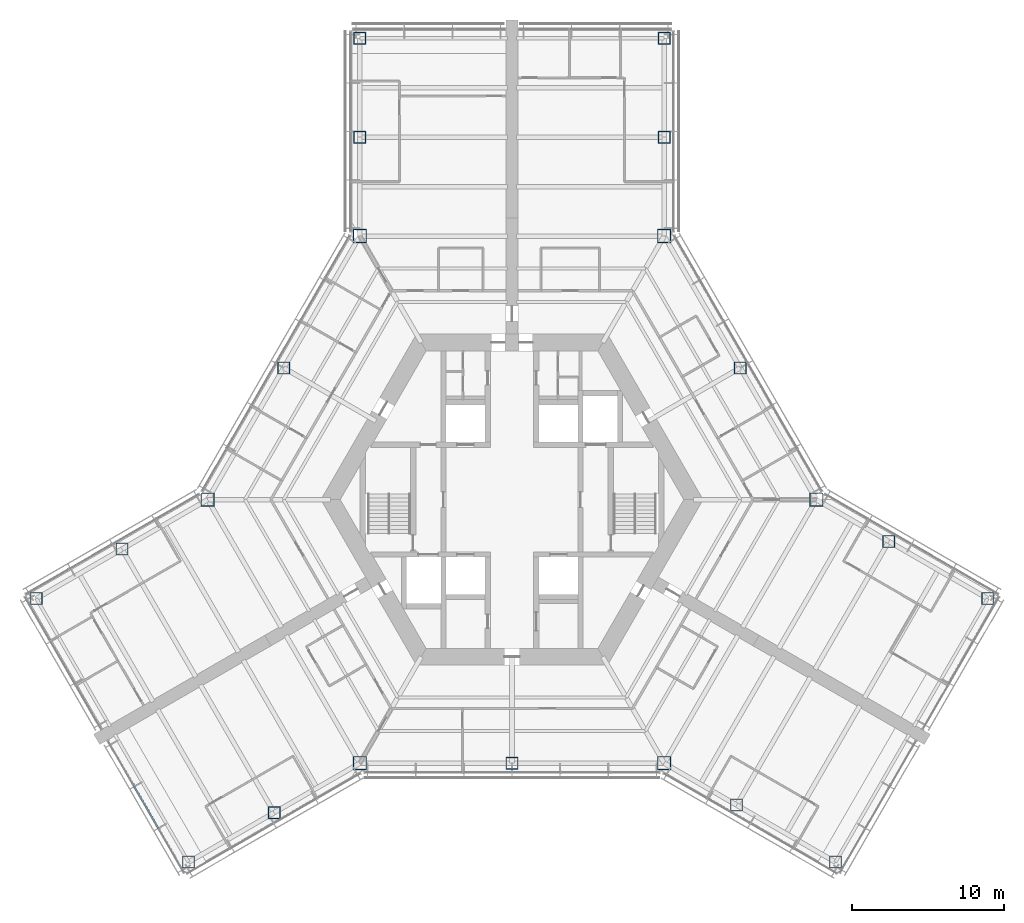
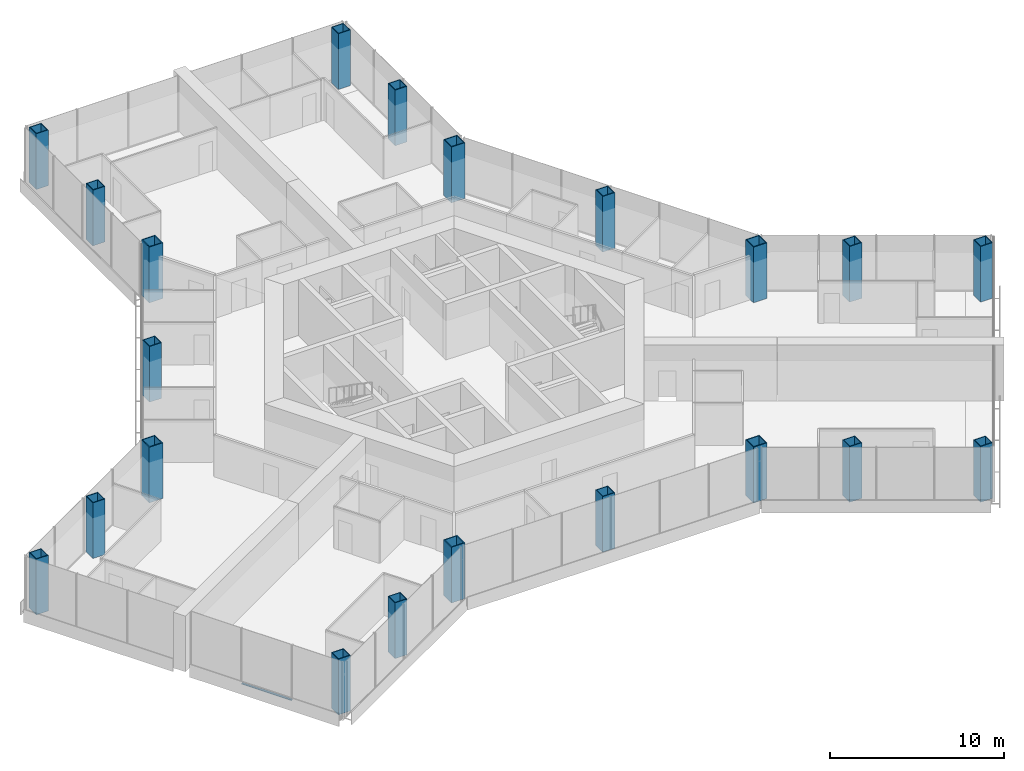
# One storey, part 1 of 19: 21 columns, 1 member, 1 element without a shape of its own.
"""IFC4 building model written with IfcOpenShell, lengths in metres."""

import ifcopenshell
import ifcopenshell.guid

model = None  # the IFC model being written
_history = None  # IfcOwnerHistory: only IFC2X3 demands one
_inside = {}  # id of a spatial element -> (the spatial element, [elements in it])
_under = {}  # id of a project, library or spatial element -> (it, [spatial elements below it])
_declared = {}  # id of a project -> (the project, [libraries it declares])
_typed = {}  # id of a type object -> (the type object, [elements of that type])
_made_of = {}  # id of a material, layer set ... -> (it, [elements and type objects made of it])


def new_model(schema):
    """Start an empty IFC model of exactly this schema.

    Asked for "IFC4X3", IfcOpenShell would pick the latest addendum, in which some entities
    have other attributes; the version numbers below select the first issue.
    IFC2X3 requires an IfcOwnerHistory on every rooted entity: one is made here for all.
    """
    global model, _history
    if schema == "IFC4X3":
        model = ifcopenshell.file(schema_version=(4, 3, 0, 0))
    else:
        model = ifcopenshell.file(schema=schema)
    _inside.clear()
    _under.clear()
    _declared.clear()
    _typed.clear()
    _made_of.clear()
    _history = None
    if model.schema == "IFC2X3":
        org = make("IfcOrganization", Name="unknown")
        user = make(
            "IfcPersonAndOrganization",
            ThePerson=make("IfcPerson", FamilyName="unknown"),
            TheOrganization=org,
        )
        app = make(
            "IfcApplication",
            ApplicationDeveloper=org,
            Version="unknown",
            ApplicationFullName="unknown",
            ApplicationIdentifier="unknown",
        )
        _history = make(
            "IfcOwnerHistory",
            OwningUser=user,
            OwningApplication=app,
            ChangeAction="ADDED",
            CreationDate=0,
        )
    return model


def make(cls, **values):
    """One entity of the class cls with the attributes given. An attribute that is None is left unset."""
    return model.create_entity(
        cls, **{name: value for name, value in values.items() if value is not None}
    )


def rooted(cls, **values):
    """An entity with a GlobalId (a new one), such as an element, a storey or a relation."""
    return make(cls, GlobalId=ifcopenshell.guid.new(), OwnerHistory=_history, **values)


def si_unit(unit_type, name, prefix=None):
    """IfcSIUnit, for example si_unit("LENGTHUNIT", "METRE", prefix="MILLI")."""
    return make("IfcSIUnit", UnitType=unit_type, Prefix=prefix, Name=name)


def assignment(units):
    """IfcUnitAssignment: the units of a project."""
    return None if units is None else make("IfcUnitAssignment", Units=units)


def point(xyz):
    """IfcCartesianPoint."""
    return None if xyz is None else make("IfcCartesianPoint", Coordinates=xyz)


def direction(xyz):
    """IfcDirection."""
    return None if xyz is None else make("IfcDirection", DirectionRatios=xyz)


def frame(location, z_axis=None, x_axis=None):
    """IfcAxis2Placement3D, a coordinate frame: its origin and axes. An axis left out is left unset."""
    return make(
        "IfcAxis2Placement3D",
        Location=point(location),
        Axis=direction(z_axis),
        RefDirection=direction(x_axis),
    )


def frame_2d(location, x_axis=None):
    """IfcAxis2Placement2D, a coordinate frame in the plane: its origin and x axis."""
    return make(
        "IfcAxis2Placement2D", Location=point(location), RefDirection=direction(x_axis)
    )


def origin():
    """The frame at (0, 0, 0) with its axes left unset."""
    return frame((0.0, 0.0, 0.0))


def origin_2d():
    """The frame at (0, 0) in the plane with its x axis left unset."""
    return frame_2d((0.0, 0.0))


def place(relative_to, where):
    """IfcLocalPlacement: puts the frame where relative to a parent placement (None: the world)."""
    return make(
        "IfcLocalPlacement", PlacementRelTo=relative_to, RelativePlacement=where
    )


def context(
    kind, dimensions, precision=None, world=None, true_north=None, identifier=None
):
    """IfcGeometricRepresentationContext, for example the 3D "Model" context."""
    return make(
        "IfcGeometricRepresentationContext",
        ContextIdentifier=identifier,
        ContextType=kind,
        CoordinateSpaceDimension=dimensions,
        Precision=precision,
        WorldCoordinateSystem=world,
        TrueNorth=true_north,
    )


def subcontext(parent, identifier, kind, view, scale=None):
    """IfcGeometricRepresentationSubContext, for example "Body" below "Model"."""
    return make(
        "IfcGeometricRepresentationSubContext",
        ContextIdentifier=identifier,
        ContextType=kind,
        ParentContext=parent,
        TargetScale=scale,
        TargetView=view,
    )


def project(units=None, contexts=None):
    """IfcProject with its units and contexts."""
    return rooted(
        "IfcProject",
        Name="project",
        RepresentationContexts=contexts,
        UnitsInContext=assignment(units),
    )


def spatial(cls, under=None, at=None, **own):
    """A site, building, storey or space (cls), placed at a placement, below another one or the project."""
    s = rooted(cls, ObjectPlacement=at, **own)
    if under is not None:
        _under.setdefault(under.id(), (under, []))[1].append(s)
    return s


def profile(cls, at=None, kind="AREA", **sizes):
    """A parametric profile (cls). Its sizes go by their IFC names, for example OverallWidth=200.0."""
    return make(cls, ProfileType=kind, Position=at, **sizes)


def rectangle(**sizes):
    """IfcRectangleProfileDef."""
    return profile("IfcRectangleProfileDef", **sizes)


def hollow_rectangle(**sizes):
    """IfcRectangleHollowProfileDef."""
    return profile("IfcRectangleHollowProfileDef", **sizes)


def extrude(swept, where, along, depth):
    """IfcExtrudedAreaSolid: the profile swept, set in the frame where, extruded along a direction by depth."""
    return make(
        "IfcExtrudedAreaSolid",
        SweptArea=swept,
        Position=where,
        ExtrudedDirection=direction(along),
        Depth=depth,
    )


def shape(context_of_items, identifier, shape_type, items):
    """IfcShapeRepresentation: the items that make up one representation, for example the "Body"."""
    return make(
        "IfcShapeRepresentation",
        ContextOfItems=context_of_items,
        RepresentationIdentifier=identifier,
        RepresentationType=shape_type,
        Items=items,
    )


def material(Name=None, Category=None):
    """IfcMaterial."""
    return make("IfcMaterial", Name=Name, Category=Category)


def material_profile(
    of_material, cross_section, Name=None, Category=None, Priority=None
):
    """IfcMaterialProfile: a cross section and its material."""
    return make(
        "IfcMaterialProfile",
        Name=Name,
        Material=of_material,
        Profile=cross_section,
        Priority=Priority,
        Category=Category,
    )


def profile_set(profiles, Name=None, composite=None):
    """IfcMaterialProfileSet."""
    return make(
        "IfcMaterialProfileSet",
        Name=Name,
        MaterialProfiles=profiles,
        CompositeProfile=composite,
    )


def made_of(thing, what):
    """Note that an element or type object is made of a material, layer set ...; save() writes the relation."""
    if what is not None:
        _made_of.setdefault(what.id(), (what, []))[1].append(thing)
    return thing


def type_object(cls, material=None, **own):
    """A type object (cls), such as IfcWallType, which elements share."""
    return made_of(rooted(cls, **own), material)


def element(
    cls,
    number,
    at=None,
    inside=None,
    cuts=None,
    type_object=None,
    material=None,
    context=None,
    identifier="Body",
    shape_type=None,
    held_by="IfcProductDefinitionShape",
    body=None,
    shapes=None,
    **own,
):
    """One element of the class cls, such as IfcWall. Its Tag is "e" and its number.

    at: its placement. inside: the storey or other place that contains it. cuts: it is an
    opening in that element (IfcRelVoidsElement). A single representation is given by context,
    identifier, shape_type and body (its items); several are given by shapes. held_by: the class
    of the entity that holds the representations. save() writes the other relations.
    """
    e = rooted(cls, Tag="e%d" % number, ObjectPlacement=at, **own)
    if body is not None:
        shapes = [shape(context, identifier, shape_type, body)]
    if shapes is not None:
        e.Representation = make(held_by, Representations=shapes)
    if inside is not None:
        _inside.setdefault(inside.id(), (inside, []))[1].append(e)
    if cuts is not None:
        rooted(
            "IfcRelVoidsElement", RelatingBuildingElement=cuts, RelatedOpeningElement=e
        )
    if type_object is not None:
        _typed.setdefault(type_object.id(), (type_object, []))[1].append(e)
    return made_of(e, material)


def aggregate(whole, parts):
    """IfcRelAggregates: a whole, such as a stair, and the parts it consists of."""
    return rooted("IfcRelAggregates", RelatingObject=whole, RelatedObjects=parts)


def save(model, path):
    """Write the relations noted so far, then the file.

    IfcRelAggregates (storeys below a building ...), IfcRelContainedInSpatialStructure (elements
    in a storey), IfcRelDefinesByType, IfcRelAssociatesMaterial and IfcRelDeclares: one each for
    every whole, place, type object, material and project.
    """
    for whole, parts in _under.values():
        aggregate(whole, parts)
    for where, things in _inside.values():
        rooted(
            "IfcRelContainedInSpatialStructure",
            RelatedElements=things,
            RelatingStructure=where,
        )
    for kind, things in _typed.values():
        rooted("IfcRelDefinesByType", RelatedObjects=things, RelatingType=kind)
    for what, things in _made_of.values():
        rooted("IfcRelAssociatesMaterial", RelatedObjects=things, RelatingMaterial=what)
    for by, libraries in _declared.values():
        rooted("IfcRelDeclares", RelatingContext=by, RelatedDefinitions=libraries)
    model.write(path)


model = new_model("IFC4")

# Units and contexts
model_context = context("Model", 3, precision=1e-05, world=origin(), true_north=direction((0.0, 1.0)))
body_context = subcontext(model_context, "Body", "Model", "MODEL_VIEW")
ifc_project = project(units=[si_unit("LENGTHUNIT", "METRE"), si_unit("AREAUNIT", "SQUARE_METRE"), si_unit("VOLUMEUNIT", "CUBIC_METRE"), si_unit("PLANEANGLEUNIT", "RADIAN"), si_unit("MASSUNIT", "GRAM", prefix="KILO")], contexts=[model_context])

# Site, building, storey
site_placement = place(None, origin())
site = spatial("IfcSite", under=ifc_project, at=site_placement, CompositionType="ELEMENT")
building_placement = place(site_placement, origin())
building = spatial("IfcBuilding", under=site, at=building_placement, Name="Kasaneha Research Tower", CompositionType="ELEMENT")
storey_placement = place(building_placement, frame((0.0, 0.0, 96.300048828125)))
storey = spatial("IfcBuildingStorey", under=building, at=storey_placement, Name="L24", CompositionType="ELEMENT", Elevation=96.300048828125)

# Columns
ifc_material_1 = material(Name="Steel SN490C", Category="steel")
ifc_material_profile_1 = material_profile(ifc_material_1, hollow_rectangle(XDim=0.89990234375, YDim=0.89990234375, WallThickness=0.054931640625, at=origin_2d()), Name="BOX-900x900x55")
ifc_profile_set_1 = profile_set([ifc_material_profile_1], Name="Steel SN490C")
column_type_1 = type_object("IfcColumnType", Name="C2A column BOX-900x900x55", PredefinedType="COLUMN", material=ifc_profile_set_1)
for number, where, z_axis, x_axis, name in (
    (1, (20.0, 0.0, 0.0), (0.0, 0.0, 1.0), (1.0, 0.0, 0.0), "Column V0 L24"),
    (2, (10.0, 17.320556640625, 0.0), (0.0, 0.0, 1.0), (1.0, 0.0, 0.0), "Column V1 L24"),
    (3, (-10.0, 17.320556640625, 0.0), (0.0, 0.0, 1.0), (1.0, 0.0, 0.0), "Column V2 L24"),
    (4, (-20.0, 0.0, 0.0), (0.0, 0.0, 1.0), (1.0, 0.0, 0.0), "Column V3 L24"),
    (5, (-10.0, -17.320556640625, 0.0), (0.0, 0.0, 1.0), (1.0, 0.0, 0.0), "Column V4 L24"),
    (6, (10.0, -17.320556640625, 0.0), (0.0, 0.0, 1.0), (1.0, 0.0, 0.0), "Column V5 L24"),
):
    element("IfcColumn", number, at=place(storey_placement, frame(where, z_axis=z_axis, x_axis=x_axis)), inside=storey, type_object=column_type_1, Name=name, PredefinedType="COLUMN", context=body_context, shape_type="SweptSolid", body=[
        extrude(hollow_rectangle(XDim=0.89990234375, YDim=0.89990234375, WallThickness=0.054931640625, at=origin_2d()), origin(), (0.0, 0.0, 1.0), 3.89990234375),
    ])
ifc_material_2 = material(Name="Steel SN490C", Category="steel")
ifc_material_profile_2 = material_profile(ifc_material_2, hollow_rectangle(XDim=0.800048828125, YDim=0.800048828125, WallThickness=0.044921875, at=origin_2d()), Name="BOX-800x800x45")
ifc_profile_set_2 = profile_set([ifc_material_profile_2], Name="Steel SN490C")
column_type_2 = type_object("IfcColumnType", Name="C2B column BOX-800x800x45", PredefinedType="COLUMN", material=ifc_profile_set_2)
for number, where, z_axis, x_axis, name in (
    (7, (15.0, 8.66015625, 0.0), (0.0, 0.0, 1.0), (1.0, 0.0, 0.0), "Column M030 L24"),
    (8, (-15.0, 8.66015625, 0.0), (0.0, 0.0, 1.0), (1.0, 0.0, 0.0), "Column M150 L24"),
    (9, (0.0, -17.320556640625, 0.0), (0.0, 0.0, 1.0), (1.0, 0.0, 0.0), "Column M270 L24"),
    (10, (10.0, 23.820556640625, 0.0), (0.0, 0.0, 1.0), (1.0, 0.0, 0.0), "Column ASP L24"),
    (11, (10.0, 30.320556640625, 0.0), (0.0, 0.0, 1.0), (1.0, 0.0, 0.0), "Column ATP L24"),
    (12, (-10.0, 23.820556640625, 0.0), (0.0, 0.0, 1.0), (1.0, 0.0, 0.0), "Column ASN L24"),
    (13, (-10.0, 30.320556640625, 0.0), (0.0, 0.0, 1.0), (1.0, 0.0, 0.0), "Column ATN L24"),
    (14, (-25.629150390625, -3.25, 0.0), (0.0, 0.0, 1.0), (1.0, 0.0, 0.0), "Column BSP L24"),
    (15, (-31.25830078125, -6.5, 0.0), (0.0, 0.0, 1.0), (1.0, 0.0, 0.0), "Column BTP L24"),
    (16, (-15.629150390625, -20.570556640625, 0.0), (0.0, 0.0, 1.0), (1.0, 0.0, 0.0), "Column BSN L24"),
    (17, (-21.25830078125, -23.820556640625, 0.0), (0.0, 0.0, 1.0), (1.0, 0.0, 0.0), "Column BTN L24"),
    (18, (14.76318359375, -20.070556640625, 0.0), (0.0, 0.0, 1.0), (1.0, 0.0, 0.0), "Column CSP L24"),
    (19, (21.25830078125, -23.820556640625, 0.0), (0.0, 0.0, 1.0), (1.0, 0.0, 0.0), "Column CTP L24"),
    (20, (24.76318359375, -2.75, 0.0), (0.0, 0.0, 1.0), (1.0, 0.0, 0.0), "Column CSN L24"),
    (21, (31.25830078125, -6.5, 0.0), (0.0, 0.0, 1.0), (1.0, 0.0, 0.0), "Column CTN L24"),
):
    element("IfcColumn", number, at=place(storey_placement, frame(where, z_axis=z_axis, x_axis=x_axis)), inside=storey, type_object=column_type_2, Name=name, PredefinedType="COLUMN", context=body_context, shape_type="SweptSolid", body=[
        extrude(hollow_rectangle(XDim=0.800048828125, YDim=0.800048828125, WallThickness=0.044921875, at=origin_2d()), origin(), (0.0, 0.0, 1.0), 3.89990234375),
    ])

# Curtain wall, member
ifc_material_3 = material(Name="Glass and aluminium", Category="aluminium")
curtain_wall_type = type_object("IfcCurtainWallType", Name="Low-rise office curtain wall", PredefinedType="USERDEFINED", material=ifc_material_3)
curtain_wall_placement = place(storey_placement, origin())
curtain_wall = element("IfcCurtainWall", 22, at=curtain_wall_placement, inside=storey, type_object=curtain_wall_type, Name="CW-O1 L24 run 15a", ObjectType="UNITISED CURTAIN WALL", PredefinedType="USERDEFINED")
ifc_material_4 = material(Name="Aluminium 6063-T6", Category="aluminium")
ifc_material_profile_3 = material_profile(ifc_material_4, rectangle(XDim=0.1201171875, YDim=0.06005859375, at=origin_2d()), Name="CW-O1 transom 120x60")
ifc_profile_set_3 = profile_set([ifc_material_profile_3], Name="Aluminium 6063-T6")
member_type = type_object("IfcMemberType", Name="CW-O1 transom", PredefinedType="USERDEFINED", material=ifc_profile_set_3)
member_placement = place(storey_placement, frame((-24.879638671875, -18.748291015625, 0.030029296875), z_axis=(0.500014325468, -0.866017132814, 0.0), x_axis=(0.866017132814, 0.500014325468, 0.0)))
member = element("IfcMember", 23, at=member_placement, type_object=member_type, Name="CW-O1 transom 2", ObjectType="TRANSOM", PredefinedType="USERDEFINED", context=body_context, shape_type="SweptSolid", body=[
    extrude(rectangle(XDim=0.1201171875, YDim=0.06005859375, at=origin_2d()), origin(), (0.0, 0.0, 1.0), 3.306640625),
])
aggregate(curtain_wall, [member])

save(model, "model.ifc")
